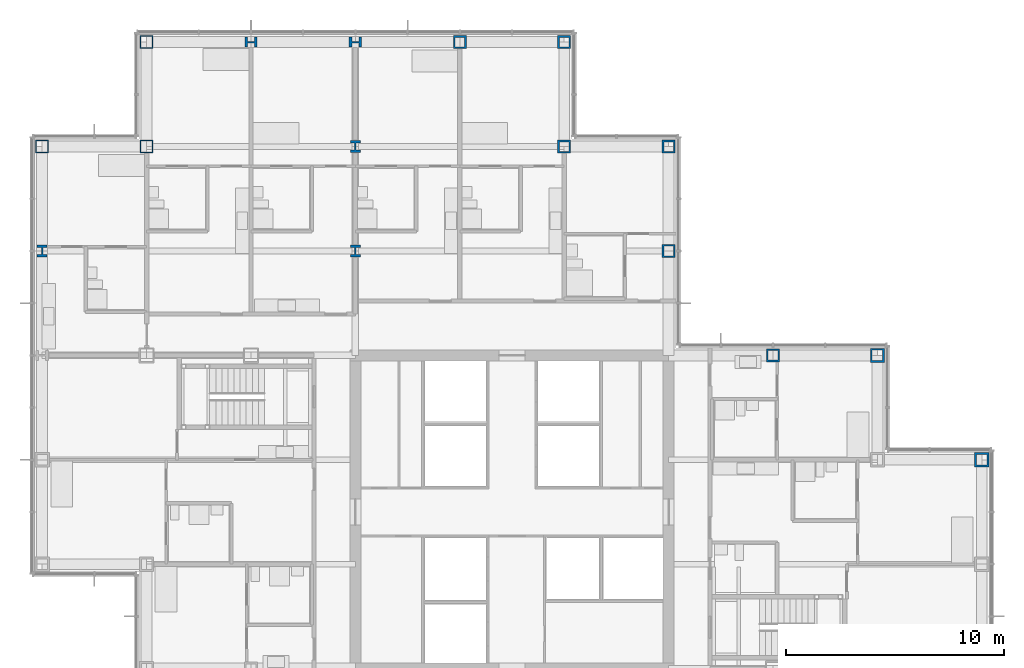
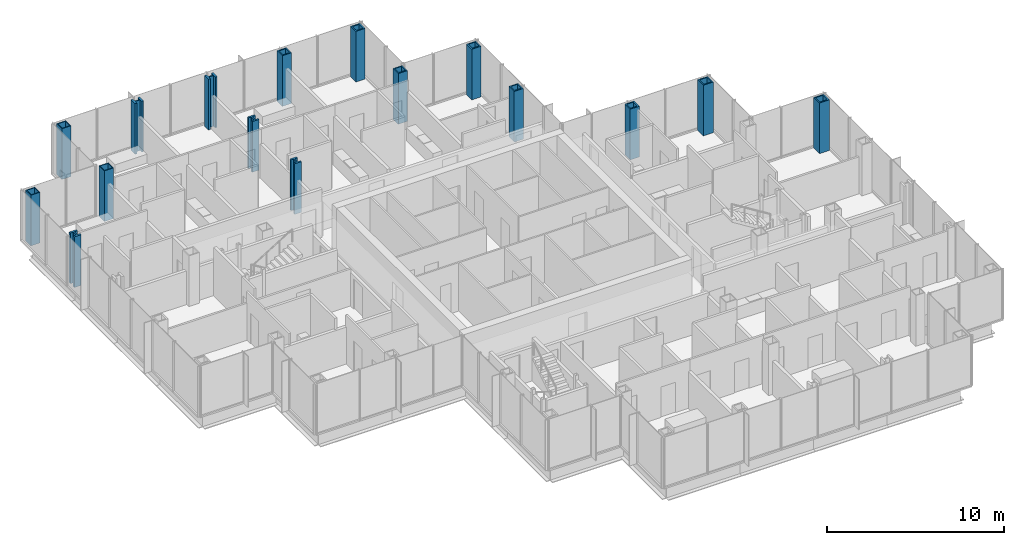
# One storey, part 5 of 19: 16 columns.
"""IFC4 building model written with IfcOpenShell, lengths in metres."""

from ifc_helpers import new_model, si_unit, direction, frame, origin, origin_2d, place, context, subcontext, project, spatial, hollow_rectangle, i_section, extrude, material, material_profile, profile_set, type_object, element, save


model = new_model("IFC4")

# Units and contexts
model_context = context("Model", 3, precision=1e-05, world=origin(), true_north=direction((0.0, 1.0)))
body_context = subcontext(model_context, "Body", "Model", "MODEL_VIEW")
ifc_project = project(units=[si_unit("LENGTHUNIT", "METRE"), si_unit("AREAUNIT", "SQUARE_METRE"), si_unit("VOLUMEUNIT", "CUBIC_METRE"), si_unit("PLANEANGLEUNIT", "RADIAN"), si_unit("MASSUNIT", "GRAM", prefix="KILO")], contexts=[model_context])

# Site, building, storey
site_placement = place(None, origin())
site = spatial("IfcSite", under=ifc_project, at=site_placement, CompositionType="ELEMENT")
building_placement = place(site_placement, origin())
building = spatial("IfcBuilding", under=site, at=building_placement, Name="Kvirike Care Tower", CompositionType="ELEMENT")
storey_placement = place(building_placement, frame((0.0, 0.0, 87.5)))
storey = spatial("IfcBuildingStorey", under=building, at=storey_placement, Name="L23", CompositionType="ELEMENT", Elevation=87.5)

# Columns
ifc_material_1 = material(Name="Steel S460", Category="steel")
ifc_material_profile_1 = material_profile(ifc_material_1, hollow_rectangle(XDim=0.60009765625, YDim=0.60009765625, WallThickness=0.050048828125, at=origin_2d()), Name="BX 600x600x50")
ifc_profile_set_1 = profile_set([ifc_material_profile_1], Name="Steel S460")
column_type_1 = type_object("IfcColumnType", Name="COLUMN BX 600x600x50", PredefinedType="COLUMN", material=ifc_profile_set_1)
for number, where, z_axis, x_axis, name in (
    (1, (0.0, 52.800048828125, 0.0), (0.0, 0.0, 1.0), (0.0, 1.0, 0.0), "Column M3 L23"),
    (2, (4.800048828125, 52.800048828125, 0.0), (0.0, 0.0, 1.0), (0.0, 1.0, 0.0), "Column M4 L23"),
    (3, (4.800048828125, 57.60009765625, 0.0), (0.0, 0.0, 1.0), (0.0, 1.0, 0.0), "Column N4 L23"),
):
    element("IfcColumn", number, at=place(storey_placement, frame(where, z_axis=z_axis, x_axis=x_axis)), inside=storey, type_object=column_type_1, Name=name, PredefinedType="COLUMN", context=body_context, shape_type="SweptSolid", body=[
        extrude(hollow_rectangle(XDim=0.60009765625, YDim=0.60009765625, WallThickness=0.050048828125, at=origin_2d()), origin(), (0.0, 0.0, 1.0), 3.5),
    ])
ifc_material_2 = material(Name="Steel S460", Category="steel")
ifc_material_profile_2 = material_profile(ifc_material_2, hollow_rectangle(XDim=0.60009765625, YDim=0.60009765625, WallThickness=0.080078125, at=origin_2d()), Name="BX 600x600x80")
ifc_profile_set_2 = profile_set([ifc_material_profile_2], Name="Steel S460")
column_type_2 = type_object("IfcColumnType", Name="COLUMN BX 600x600x80", PredefinedType="COLUMN", material=ifc_profile_set_2)
for number, where, z_axis, x_axis, name in (
    (4, (19.199951171875, 57.60009765625, 0.0), (0.0, 0.0, 1.0), (0.0, 1.0, 0.0), "Column N7 L23"),
    (5, (24.0, 52.800048828125, 0.0), (0.0, 0.0, 1.0), (0.0, 1.0, 0.0), "Column M8 L23"),
    (6, (24.0, 57.60009765625, 0.0), (0.0, 0.0, 1.0), (0.0, 1.0, 0.0), "Column N8 L23"),
    (7, (28.800048828125, 48.0, 0.0), (0.0, 0.0, 1.0), (1.0, 0.0, 0.0), "Column L9 L23"),
    (8, (28.800048828125, 52.800048828125, 0.0), (0.0, 0.0, 1.0), (0.0, 1.0, 0.0), "Column M9 L23"),
    (9, (33.60009765625, 43.199951171875, 0.0), (0.0, 0.0, 1.0), (0.0, 1.0, 0.0), "Column K10 L23"),
):
    element("IfcColumn", number, at=place(storey_placement, frame(where, z_axis=z_axis, x_axis=x_axis)), inside=storey, type_object=column_type_2, Name=name, PredefinedType="COLUMN", context=body_context, shape_type="SweptSolid", body=[
        extrude(hollow_rectangle(XDim=0.60009765625, YDim=0.60009765625, WallThickness=0.080078125, at=origin_2d()), origin(), (0.0, 0.0, 1.0), 3.5),
    ])
ifc_material_3 = material(Name="Steel S460", Category="steel")
ifc_material_profile_3 = material_profile(ifc_material_3, hollow_rectangle(XDim=0.64990234375, YDim=0.64990234375, WallThickness=0.080078125, at=origin_2d()), Name="BX 650x650x80")
ifc_profile_set_3 = profile_set([ifc_material_profile_3], Name="Steel S460")
column_type_3 = type_object("IfcColumnType", Name="COLUMN BX 650x650x80", PredefinedType="COLUMN", material=ifc_profile_set_3)
for number, where, z_axis, x_axis, name in (
    (10, (38.39990234375, 43.199951171875, 0.0), (0.0, 0.0, 1.0), (0.0, 1.0, 0.0), "Column K11 L23"),
    (11, (43.199951171875, 38.39990234375, 0.0), (0.0, 0.0, 1.0), (0.0, 1.0, 0.0), "Column J12 L23"),
):
    element("IfcColumn", number, at=place(storey_placement, frame(where, z_axis=z_axis, x_axis=x_axis)), inside=storey, type_object=column_type_3, Name=name, PredefinedType="COLUMN", context=body_context, shape_type="SweptSolid", body=[
        extrude(hollow_rectangle(XDim=0.64990234375, YDim=0.64990234375, WallThickness=0.080078125, at=origin_2d()), origin(), (0.0, 0.0, 1.0), 3.5),
    ])
ifc_material_4 = material(Name="Steel S460", Category="steel")
ifc_material_profile_4 = material_profile(ifc_material_4, i_section(OverallWidth=0.4541015625, OverallDepth=0.569091796875, WebThickness=0.077880859375, FlangeThickness=0.125, FilletRadius=0.014892578125, at=origin_2d()), Name="HD 400x1086")
ifc_profile_set_4 = profile_set([ifc_material_profile_4], Name="Steel S460")
column_type_4 = type_object("IfcColumnType", Name="COLUMN HD 400x1086", PredefinedType="COLUMN", material=ifc_profile_set_4)
for number, where, z_axis, x_axis, name in (
    (12, (0.0, 48.0, 0.0), (0.0, 0.0, 1.0), (1.0, 0.0, 0.0), "Column L3 L23"),
    (13, (9.60009765625, 57.60009765625, 0.0), (0.0, 0.0, 1.0), (0.0, 1.0, 0.0), "Column N5 L23"),
    (14, (14.39990234375, 57.60009765625, 0.0), (0.0, 0.0, 1.0), (0.0, 1.0, 0.0), "Column N6 L23"),
):
    element("IfcColumn", number, at=place(storey_placement, frame(where, z_axis=z_axis, x_axis=x_axis)), inside=storey, type_object=column_type_4, Name=name, PredefinedType="COLUMN", context=body_context, shape_type="SweptSolid", body=[
        extrude(i_section(OverallWidth=0.4541015625, OverallDepth=0.569091796875, WebThickness=0.077880859375, FlangeThickness=0.125, FilletRadius=0.014892578125, at=origin_2d()), origin(), (0.0, 0.0, 1.0), 3.5),
    ])
ifc_material_5 = material(Name="Steel S460", Category="steel")
ifc_material_profile_5 = material_profile(ifc_material_5, i_section(OverallWidth=0.447998046875, OverallDepth=0.550048828125, WebThickness=0.072021484375, FlangeThickness=0.114990234375, FilletRadius=0.014892578125, at=origin_2d()), Name="HD 400x990")
ifc_profile_set_5 = profile_set([ifc_material_profile_5], Name="Steel S460")
column_type_5 = type_object("IfcColumnType", Name="COLUMN HD 400x990", PredefinedType="COLUMN", material=ifc_profile_set_5)
for number, where, z_axis, x_axis, name in (
    (15, (14.39990234375, 48.0, 0.0), (0.0, 0.0, 1.0), (1.0, 0.0, 0.0), "Column L6 L23"),
    (16, (14.39990234375, 52.800048828125, 0.0), (0.0, 0.0, 1.0), (1.0, 0.0, 0.0), "Column M6 L23"),
):
    element("IfcColumn", number, at=place(storey_placement, frame(where, z_axis=z_axis, x_axis=x_axis)), inside=storey, type_object=column_type_5, Name=name, PredefinedType="COLUMN", context=body_context, shape_type="SweptSolid", body=[
        extrude(i_section(OverallWidth=0.447998046875, OverallDepth=0.550048828125, WebThickness=0.072021484375, FlangeThickness=0.114990234375, FilletRadius=0.014892578125, at=origin_2d()), origin(), (0.0, 0.0, 1.0), 3.5),
    ])

save(model, "model.ifc")
